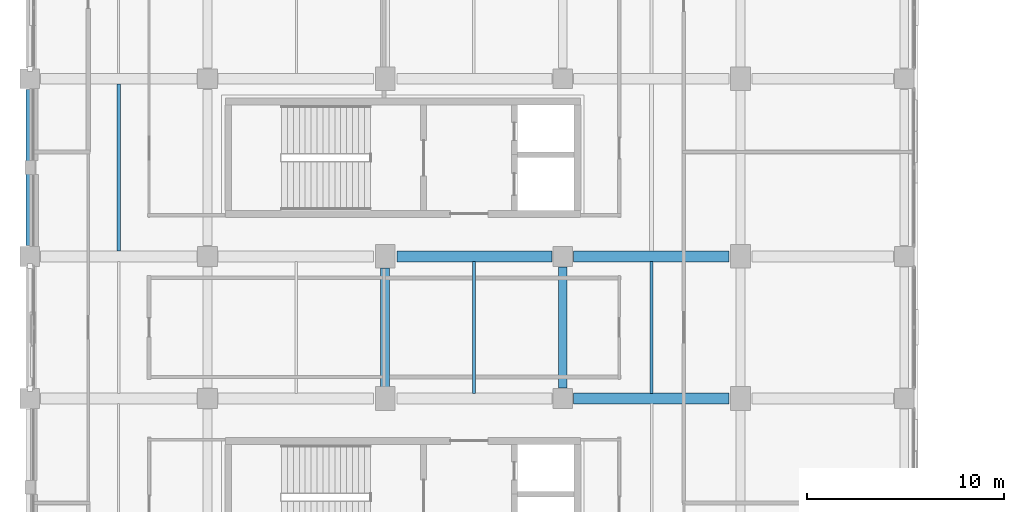
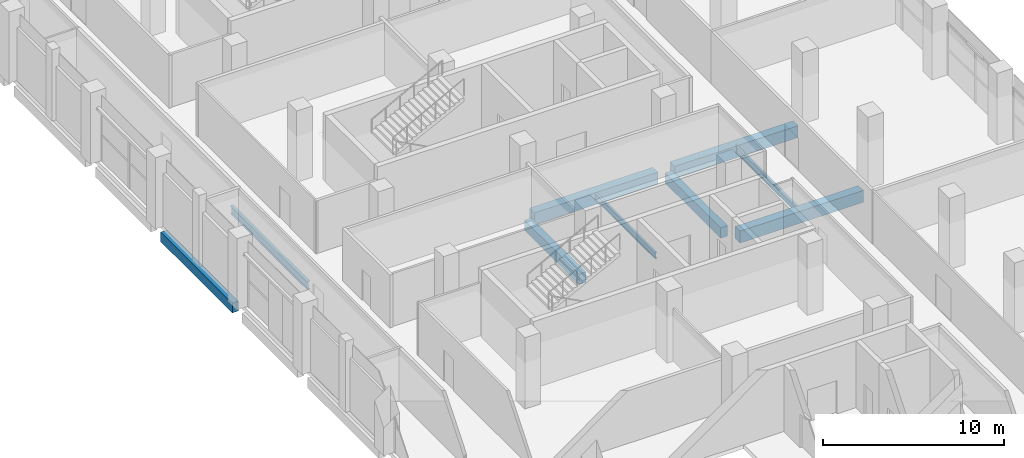
# One storey, part 15 of 111: 9 beams.
"""IFC4 building model written with IfcOpenShell, lengths in metres."""

from ifc_helpers import new_model, si_unit, direction, frame, origin, origin_2d, place, context, subcontext, project, spatial, rectangle, i_section, extrude, material, material_profile, profile_set, type_object, element, save


model = new_model("IFC4")

# Units and contexts
model_context = context("Model", 3, precision=1e-05, world=origin(), true_north=direction((0.0, 1.0)))
body_context = subcontext(model_context, "Body", "Model", "MODEL_VIEW")
ifc_project = project(units=[si_unit("LENGTHUNIT", "METRE"), si_unit("AREAUNIT", "SQUARE_METRE"), si_unit("VOLUMEUNIT", "CUBIC_METRE"), si_unit("PLANEANGLEUNIT", "RADIAN"), si_unit("MASSUNIT", "GRAM", prefix="KILO"), si_unit("THERMODYNAMICTEMPERATUREUNIT", "KELVIN"), si_unit("POWERUNIT", "WATT")], contexts=[model_context])

# Site, building, storey
site_placement = place(None, origin())
site = spatial("IfcSite", under=ifc_project, at=site_placement, CompositionType="ELEMENT")
building_placement = place(site_placement, origin())
building = spatial("IfcBuilding", under=site, at=building_placement, Name="Sindhuravela Promenade Stadium", CompositionType="ELEMENT")
storey_placement = place(building_placement, frame((0.0, 0.0, 9.60009765625)))
storey = spatial("IfcBuildingStorey", under=building, at=storey_placement, Name="L02", CompositionType="ELEMENT", Elevation=9.60009765625)

# Beams
ifc_material_1 = material(Name="Concrete M40", Category="concrete")
ifc_material_profile_1 = material_profile(ifc_material_1, rectangle(XDim=0.39990234375, YDim=0.64990234375, at=origin_2d()), Name="RC 400x650")
ifc_profile_set_1 = profile_set([ifc_material_profile_1], Name="Concrete M40")
beam_type_1 = type_object("IfcBeamType", Name="RC-BM-400x650", PredefinedType="SPANDREL", material=ifc_profile_set_1)
beam_1_placement = place(storey_placement, frame((0.0, 85.139892578125, -0.60498046875), z_axis=(0.0, 1.0, 0.0), x_axis=(-1.0, 0.0, 0.0)))
element("IfcBeam", 1, at=beam_1_placement, inside=storey, type_object=beam_type_1, Name="Primary beam SP01 WEST L02", PredefinedType="SPANDREL", context=body_context, shape_type="SweptSolid", body=[
    extrude(rectangle(XDim=0.39990234375, YDim=0.64990234375, at=origin_2d()), origin(), (0.0, 0.0, 1.0), 7.920166015625),
])
ifc_material_profile_2 = material_profile(ifc_material_1, rectangle(XDim=0.449951171875, YDim=0.699951171875, at=origin_2d()), Name="RC 450x700")
ifc_profile_set_2 = profile_set([ifc_material_profile_2], Name="Concrete M40")
beam_type_2 = type_object("IfcBeamType", Name="RC-BM-450x700", PredefinedType="BEAM", material=ifc_profile_set_2)
beam_2_placement = place(storey_placement, frame((18.0, 77.989990234375, -0.630126953125), z_axis=(0.0, 1.0, 0.0), x_axis=(-1.0, 0.0, 0.0)))
element("IfcBeam", 2, at=beam_2_placement, inside=storey, type_object=beam_type_2, Name="Primary beam GB07 WEST L02", PredefinedType="BEAM", context=body_context, shape_type="SweptSolid", body=[
    extrude(rectangle(XDim=0.449951171875, YDim=0.699951171875, at=origin_2d()), origin(), (0.0, 0.0, 1.0), 6.02001953125),
])
beam_3_placement = place(storey_placement, frame((27.0, 77.93994140625, -0.630126953125), z_axis=(0.0, 1.0, 0.0), x_axis=(-1.0, 0.0, 0.0)))
element("IfcBeam", 3, at=beam_3_placement, inside=storey, type_object=beam_type_2, Name="Primary beam GB07 WEST L02", PredefinedType="BEAM", context=body_context, shape_type="SweptSolid", body=[
    extrude(rectangle(XDim=0.449951171875, YDim=0.699951171875, at=origin_2d()), origin(), (0.0, 0.0, 1.0), 6.1201171875),
])
ifc_material_profile_3 = material_profile(ifc_material_1, rectangle(XDim=0.550048828125, YDim=0.800048828125, at=origin_2d()), Name="RC 550x800")
ifc_profile_set_3 = profile_set([ifc_material_profile_3], Name="Concrete M40")
beam_type_3 = type_object("IfcBeamType", Name="RC-BM-550x800", PredefinedType="BEAM", material=ifc_profile_set_3)
for number, where, z_axis, x_axis, name in (
    (4, (27.5400390625, 77.39990234375, -0.68017578125), (1.0, 0.0, 0.0), (0.0, 1.0, 0.0), "Primary girder GB05 WEST L02"),
    (5, (18.590087890625, 84.60009765625, -0.68017578125), (1.0, 0.0, 0.0), (0.0, 1.0, 0.0), "Primary girder GB05 WEST L02"),
    (6, (27.5400390625, 84.60009765625, -0.68017578125), (1.0, 0.0, 0.0), (0.0, 1.0, 0.0), "Primary girder GB05 WEST L02"),
):
    element("IfcBeam", number, at=place(storey_placement, frame(where, z_axis=z_axis, x_axis=x_axis)), inside=storey, type_object=beam_type_3, Name=name, PredefinedType="BEAM", context=body_context, shape_type="SweptSolid", body=[
        extrude(rectangle(XDim=0.550048828125, YDim=0.800048828125, at=origin_2d()), origin(), (0.0, 0.0, 1.0), 7.869873046875),
    ])
ifc_material_2 = material(Name="Steel E350 (IS 2062 E350BR)", Category="steel")
ifc_material_profile_4 = material_profile(ifc_material_2, i_section(OverallWidth=0.139892578125, OverallDepth=0.39990234375, WebThickness=0.0087890625, FlangeThickness=0.01611328125, FilletRadius=0.013916015625, at=origin_2d()), Name="ISMB 400")
ifc_profile_set_4 = profile_set([ifc_material_profile_4], Name="Steel E350 (IS 2062 E350BR)")
beam_type_4 = type_object("IfcBeamType", Name="ST-BM-MB400", PredefinedType="BEAM", material=ifc_profile_set_4)
beam_4_placement = place(storey_placement, frame((22.5, 77.6650390625, -0.47998046875), z_axis=(0.0, 1.0, 0.0), x_axis=(-1.0, 0.0, 0.0)))
element("IfcBeam", 7, at=beam_4_placement, inside=storey, type_object=beam_type_4, Name="Secondary floor joist SB05 WEST L02", PredefinedType="BEAM", context=body_context, shape_type="SweptSolid", body=[
    extrude(i_section(OverallWidth=0.139892578125, OverallDepth=0.39990234375, WebThickness=0.0087890625, FlangeThickness=0.01611328125, FilletRadius=0.013916015625, at=origin_2d()), origin(), (0.0, 0.0, 1.0), 6.669921875),
])
ifc_material_profile_5 = material_profile(ifc_material_2, i_section(OverallWidth=0.14990234375, OverallDepth=0.449951171875, WebThickness=0.009521484375, FlangeThickness=0.017333984375, FilletRadius=0.014892578125, at=origin_2d()), Name="ISMB 450")
ifc_profile_set_5 = profile_set([ifc_material_profile_5], Name="Steel E350 (IS 2062 E350BR)")
beam_type_5 = type_object("IfcBeamType", Name="ST-BM-MB450", PredefinedType="BEAM", material=ifc_profile_set_5)
beam_5_placement = place(storey_placement, frame((31.5, 77.6650390625, -0.505126953125), z_axis=(0.0, 1.0, 0.0), x_axis=(-1.0, 0.0, 0.0)))
element("IfcBeam", 8, at=beam_5_placement, inside=storey, type_object=beam_type_5, Name="Secondary floor joist SB06 WEST L02", PredefinedType="BEAM", context=body_context, shape_type="SweptSolid", body=[
    extrude(i_section(OverallWidth=0.14990234375, OverallDepth=0.449951171875, WebThickness=0.009521484375, FlangeThickness=0.017333984375, FilletRadius=0.014892578125, at=origin_2d()), origin(), (0.0, 0.0, 1.0), 6.669921875),
])
ifc_material_profile_6 = material_profile(ifc_material_2, i_section(OverallWidth=0.18994140625, OverallDepth=0.550048828125, WebThickness=0.01123046875, FlangeThickness=0.019287109375, FilletRadius=0.01806640625, at=origin_2d()), Name="ISMB 550")
ifc_profile_set_6 = profile_set([ifc_material_profile_6], Name="Steel E350 (IS 2062 E350BR)")
beam_type_6 = type_object("IfcBeamType", Name="ST-BM-MB550", PredefinedType="SPANDREL", material=ifc_profile_set_6)
beam_6_placement = place(storey_placement, frame((4.5, 84.864990234375, -0.55517578125), z_axis=(0.0, 1.0, 0.0), x_axis=(-1.0, 0.0, 0.0)))
element("IfcBeam", 9, at=beam_6_placement, inside=storey, type_object=beam_type_6, Name="Secondary floor joist SB08 WEST L02", PredefinedType="SPANDREL", context=body_context, shape_type="SweptSolid", body=[
    extrude(i_section(OverallWidth=0.18994140625, OverallDepth=0.550048828125, WebThickness=0.01123046875, FlangeThickness=0.019287109375, FilletRadius=0.01806640625, at=origin_2d()), origin(), (0.0, 0.0, 1.0), 8.469970703125),
])

save(model, "model.ifc")
